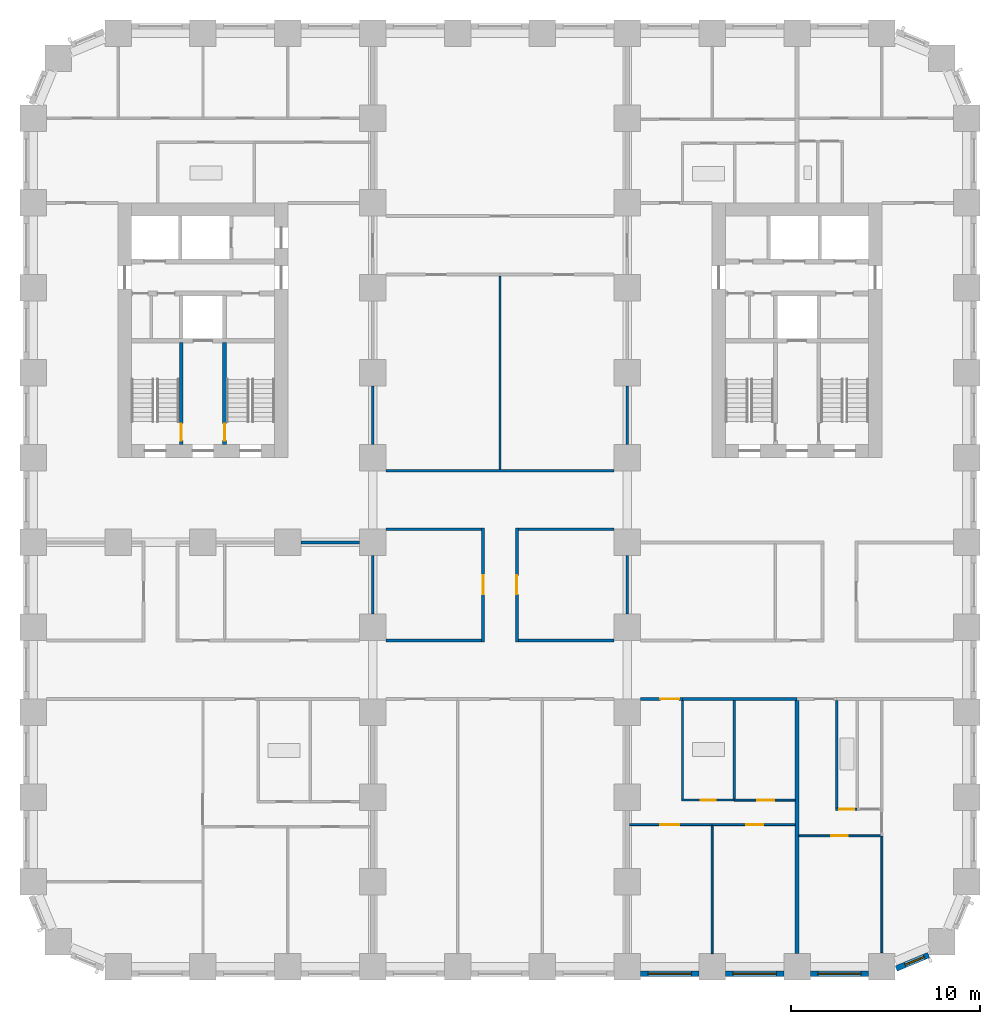
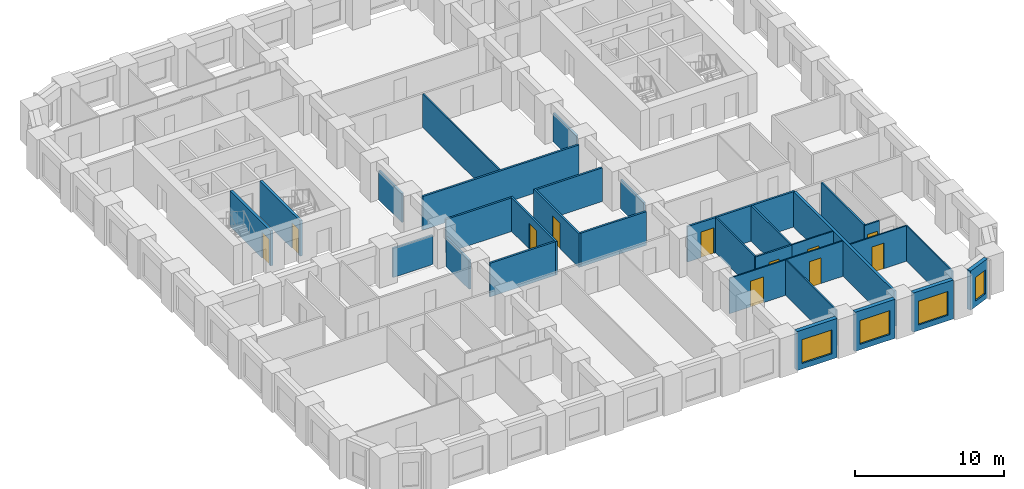
# One storey, part 4 of 12: 33 walls, 11 doors, 4 windows, 15 openings.
"""IFC4 building model written with IfcOpenShell, lengths in metres."""

from ifc_helpers import new_model, si_unit, direction, frame, frame_2d, origin, place, context, subcontext, project, spatial, rectangle, extrude, material, layer, layer_set, type_object, element, fill, save


model = new_model("IFC4")

# Units and contexts
model_context = context("Model", 3, precision=1e-05, world=origin(), true_north=direction((0.0, 1.0)))
body_context = subcontext(model_context, "Body", "Model", "MODEL_VIEW")
ifc_project = project(units=[si_unit("LENGTHUNIT", "METRE"), si_unit("AREAUNIT", "SQUARE_METRE"), si_unit("VOLUMEUNIT", "CUBIC_METRE"), si_unit("PLANEANGLEUNIT", "RADIAN"), si_unit("MASSUNIT", "GRAM", prefix="KILO")], contexts=[model_context])

# Site, building, storey
site_placement = place(None, origin())
site = spatial("IfcSite", under=ifc_project, at=site_placement, CompositionType="ELEMENT")
building_placement = place(site_placement, origin())
building = spatial("IfcBuilding", under=site, at=building_placement, Name="Girih Gate Residences", CompositionType="ELEMENT")
storey_placement = place(building_placement, frame((0.0, 0.0, 33.60009765625)))
storey = spatial("IfcBuildingStorey", under=building, at=storey_placement, Name="L07", CompositionType="ELEMENT", Elevation=33.60009765625)

# Wall
ifc_material_1 = material(Name="Gypsum board on steel studs", Category="steel")
ifc_layer_1 = layer(ifc_material_1, 0.14990234375)
ifc_layer_set_1 = layer_set([ifc_layer_1], Name="Compartment wall 150 mm")
wall_type_1 = type_object("IfcWallType", Name="Compartment wall 150 mm", PredefinedType="PARTITIONING", material=ifc_layer_set_1)
wall_1_placement = place(storey_placement, frame((34.425048828125, 14.199951171875, 0.0), z_axis=(0.0, 0.0, 1.0), x_axis=(1.0, 0.0, 0.0)))
element("IfcWall", 1, at=wall_1_placement, inside=storey, type_object=wall_type_1, Name="L07 partition", PredefinedType="PARTITIONING", context=body_context, shape_type="SweptSolid", body=[
    extrude(rectangle(XDim=6.074951171875, YDim=0.14990234375, at=frame_2d((3.03759765625, 0.0))), origin(), (0.0, 0.0, 1.0), 2.89990234375),
])

# Wall, opening, door
wall_2_placement = place(storey_placement, frame((34.425048828125, 14.199951171875, 0.0), z_axis=(0.0, 0.0, 1.0), x_axis=(-1.0, 0.0, 0.0)))
wall_2 = element("IfcWall", 2, at=wall_2_placement, inside=storey, type_object=wall_type_1, Name="L07 partition", PredefinedType="PARTITIONING", context=body_context, shape_type="SweptSolid", body=[
    extrude(rectangle(XDim=2.22509765625, YDim=0.14990234375, at=frame_2d((1.112548828125, 0.0))), origin(), (0.0, 0.0, 1.0), 2.89990234375),
])
opening_1_placement = place(wall_2_placement, frame((0.175048828125, 0.0, 0.0)))
opening_1 = element("IfcOpeningElement", 3, at=opening_1_placement, cuts=wall_2, Name="Opening A07-024", PredefinedType="OPENING", context=body_context, shape_type="SweptSolid", body=[
    extrude(rectangle(XDim=1.0, YDim=2.10009765625, at=frame_2d((0.5, 1.050048828125))), frame((0.0, 0.0849609375, 0.0), z_axis=(0.0, -1.0, 0.0), x_axis=(1.0, 0.0, 0.0)), (0.0, 0.0, 1.0), 0.169921875),
])
ifc_material_2 = material(Name="Timber, fire-rated core", Category="wood")
door_type_1 = type_object("IfcDoorType", Name="Flat entrance door 1000x2100 FD30S", OperationType="NOTDEFINED", PredefinedType="DOOR", material=ifc_material_2)
door_1_placement = place(opening_1_placement, origin())
door_1 = element("IfcDoor", 4, at=door_1_placement, inside=storey, type_object=door_type_1, Name="Door A07-024", OperationType="SINGLE_SWING_LEFT", OverallHeight=2.10009765625, OverallWidth=1.0, PredefinedType="DOOR", context=body_context, shape_type="SweptSolid", body=[
    extrude(rectangle(XDim=1.0, YDim=2.10009765625, at=frame_2d((0.5, 1.050048828125))), frame((0.0, 0.02490234375, 0.0), z_axis=(0.0, -1.0, 0.0), x_axis=(1.0, 0.0, 0.0)), (0.0, 0.0, 1.0), 0.050048828125),
])
fill(opening_1, door_1)

wall_3_placement = place(storey_placement, frame((23.85009765625, 17.22509765625, 0.0), z_axis=(0.0, 0.0, 1.0), x_axis=(0.0, 1.0, 0.0)))
wall_3 = element("IfcWall", 5, at=wall_3_placement, inside=storey, type_object=wall_type_1, Name="L07 partition", PredefinedType="PARTITIONING", context=body_context, shape_type="SweptSolid", body=[
    extrude(rectangle(XDim=6.0498046875, YDim=0.14990234375, at=frame_2d((3.02490234375, 0.0))), origin(), (0.0, 0.0, 1.0), 2.75),
])
opening_2_placement = place(wall_3_placement, frame((2.52490234375, 0.0, 0.0)))
opening_2 = element("IfcOpeningElement", 6, at=opening_2_placement, cuts=wall_3, Name="Opening A07-043", PredefinedType="OPENING", context=body_context, shape_type="SweptSolid", body=[
    extrude(rectangle(XDim=1.0, YDim=2.10009765625, at=frame_2d((0.5, 1.050048828125))), frame((0.0, 0.0849609375, 0.0), z_axis=(0.0, -1.0, 0.0), x_axis=(1.0, 0.0, 0.0)), (0.0, 0.0, 1.0), 0.169921875),
])
door_type_2 = type_object("IfcDoorType", Name="Amenity room door 1000x2100 FD30S", OperationType="NOTDEFINED", PredefinedType="DOOR", material=ifc_material_2)
door_2_placement = place(opening_2_placement, origin())
door_2 = element("IfcDoor", 7, at=door_2_placement, inside=storey, type_object=door_type_2, Name="Door A07-043", OperationType="SINGLE_SWING_RIGHT", OverallHeight=2.10009765625, OverallWidth=1.0, PredefinedType="DOOR", context=body_context, shape_type="SweptSolid", body=[
    extrude(rectangle(XDim=1.0, YDim=2.10009765625, at=frame_2d((0.5, 1.050048828125))), frame((0.0, 0.02490234375, 0.0), z_axis=(0.0, -1.0, 0.0), x_axis=(1.0, 0.0, 0.0)), (0.0, 0.0, 1.0), 0.050048828125),
])
fill(opening_2, door_2)

wall_4_placement = place(storey_placement, frame((25.64990234375, 23.27490234375, 0.0), z_axis=(0.0, 0.0, 1.0), x_axis=(0.0, -1.0, 0.0)))
wall_4 = element("IfcWall", 8, at=wall_4_placement, inside=storey, type_object=wall_type_1, Name="L07 partition", PredefinedType="PARTITIONING", context=body_context, shape_type="SweptSolid", body=[
    extrude(rectangle(XDim=6.0498046875, YDim=0.14990234375, at=frame_2d((3.02490234375, 0.0))), origin(), (0.0, 0.0, 1.0), 2.75),
])
opening_3_placement = place(wall_4_placement, frame((2.52490234375, 0.0, 0.0)))
opening_3 = element("IfcOpeningElement", 9, at=opening_3_placement, cuts=wall_4, Name="Opening A07-044", PredefinedType="OPENING", context=body_context, shape_type="SweptSolid", body=[
    extrude(rectangle(XDim=1.0, YDim=2.10009765625, at=frame_2d((0.5, 1.050048828125))), frame((0.0, 0.0849609375, 0.0), z_axis=(0.0, -1.0, 0.0), x_axis=(1.0, 0.0, 0.0)), (0.0, 0.0, 1.0), 0.169921875),
])
door_3_placement = place(opening_3_placement, origin())
door_3 = element("IfcDoor", 10, at=door_3_placement, inside=storey, type_object=door_type_2, Name="Door A07-044", OperationType="SINGLE_SWING_RIGHT", OverallHeight=2.10009765625, OverallWidth=1.0, PredefinedType="DOOR", context=body_context, shape_type="SweptSolid", body=[
    extrude(rectangle(XDim=1.0, YDim=2.10009765625, at=frame_2d((0.5, 1.050048828125))), frame((0.0, 0.02490234375, 0.0), z_axis=(0.0, -1.0, 0.0), x_axis=(1.0, 0.0, 0.0)), (0.0, 0.0, 1.0), 0.050048828125),
])
fill(opening_3, door_3)

# Walls
for number, where, z_axis, x_axis, name in (
    (11, (18.699951171875, 17.300048828125, 0.0), (0.0, 0.0, 1.0), (1.0, 0.0, 0.0), "L07 partition"),
    (12, (25.72509765625, 17.300048828125, 0.0), (0.0, 0.0, 1.0), (1.0, 0.0, 0.0), "L07 partition"),
):
    element("IfcWall", number, at=place(storey_placement, frame(where, z_axis=z_axis, x_axis=x_axis)), inside=storey, type_object=wall_type_1, Name=name, PredefinedType="PARTITIONING", context=body_context, shape_type="SweptSolid", body=[
        extrude(rectangle(XDim=5.074951171875, YDim=0.14990234375, at=frame_2d((2.53759765625, 0.0))), origin(), (0.0, 0.0, 1.0), 2.75),
    ])
wall_5_placement = place(storey_placement, frame((18.0, 27.699951171875, 0.0), z_axis=(0.0, 0.0, 1.0), x_axis=(0.0, 1.0, 0.0)))
element("IfcWall", 13, at=wall_5_placement, inside=storey, type_object=wall_type_1, Name="L07 partition", PredefinedType="PARTITIONING", context=body_context, shape_type="SweptSolid", body=[
    extrude(rectangle(XDim=3.10009765625, YDim=0.14990234375, at=frame_2d((1.550048828125, 0.0))), origin(), (0.0, 0.0, 1.0), 2.3798828125),
])
wall_6_placement = place(storey_placement, frame((18.699951171875, 26.300048828125, 0.0), z_axis=(0.0, 0.0, 1.0), x_axis=(1.0, 0.0, 0.0)))
element("IfcWall", 14, at=wall_6_placement, inside=storey, type_object=wall_type_1, Name="L07 partition", PredefinedType="PARTITIONING", context=body_context, shape_type="SweptSolid", body=[
    extrude(rectangle(XDim=12.10009765625, YDim=0.14990234375, at=frame_2d((6.050048828125, 0.0))), origin(), (0.0, 0.0, 1.0), 2.75),
])
wall_7_placement = place(storey_placement, frame((31.5, 27.699951171875, 0.0), z_axis=(0.0, 0.0, 1.0), x_axis=(0.0, 1.0, 0.0)))
element("IfcWall", 15, at=wall_7_placement, inside=storey, type_object=wall_type_1, Name="L07 partition", PredefinedType="PARTITIONING", context=body_context, shape_type="SweptSolid", body=[
    extrude(rectangle(XDim=3.10009765625, YDim=0.14990234375, at=frame_2d((1.550048828125, 0.0))), origin(), (0.0, 0.0, 1.0), 2.3798828125),
])
wall_8_placement = place(storey_placement, frame((18.699951171875, 23.199951171875, 0.0), z_axis=(0.0, 0.0, 1.0), x_axis=(1.0, 0.0, 0.0)))
element("IfcWall", 16, at=wall_8_placement, inside=storey, type_object=wall_type_1, Name="L07 partition", PredefinedType="PARTITIONING", context=body_context, shape_type="SweptSolid", body=[
    extrude(rectangle(XDim=5.074951171875, YDim=0.14990234375, at=frame_2d((2.53759765625, 0.0))), origin(), (0.0, 0.0, 1.0), 2.75),
])
wall_9_placement = place(storey_placement, frame((18.0, 18.699951171875, 0.0), z_axis=(0.0, 0.0, 1.0), x_axis=(0.0, 1.0, 0.0)))
element("IfcWall", 17, at=wall_9_placement, inside=storey, type_object=wall_type_1, Name="L07 partition", PredefinedType="PARTITIONING", context=body_context, shape_type="SweptSolid", body=[
    extrude(rectangle(XDim=3.10009765625, YDim=0.14990234375, at=frame_2d((1.550048828125, 0.0))), origin(), (0.0, 0.0, 1.0), 2.3798828125),
])
wall_10_placement = place(storey_placement, frame((25.72509765625, 23.199951171875, 0.0), z_axis=(0.0, 0.0, 1.0), x_axis=(1.0, 0.0, 0.0)))
element("IfcWall", 18, at=wall_10_placement, inside=storey, type_object=wall_type_1, Name="L07 partition", PredefinedType="PARTITIONING", context=body_context, shape_type="SweptSolid", body=[
    extrude(rectangle(XDim=5.074951171875, YDim=0.14990234375, at=frame_2d((2.53759765625, 0.0))), origin(), (0.0, 0.0, 1.0), 2.75),
])
for number, where, z_axis, x_axis, name in (
    (19, (31.5, 18.699951171875, 0.0), (0.0, 0.0, 1.0), (0.0, 1.0, 0.0), "L07 partition"),
    (20, (14.199951171875, 22.5, 0.0), (0.0, 0.0, 1.0), (1.0, 0.0, 0.0), "L07 partition"),
):
    element("IfcWall", number, at=place(storey_placement, frame(where, z_axis=z_axis, x_axis=x_axis)), inside=storey, type_object=wall_type_1, Name=name, PredefinedType="PARTITIONING", context=body_context, shape_type="SweptSolid", body=[
        extrude(rectangle(XDim=3.10009765625, YDim=0.14990234375, at=frame_2d((1.550048828125, 0.0))), origin(), (0.0, 0.0, 1.0), 2.3798828125),
    ])

# Wall, opening, door
ifc_layer_2 = layer(ifc_material_1, 0.10009765625)
ifc_layer_set_2 = layer_set([ifc_layer_2], Name="Partition 100 mm")
wall_type_2 = type_object("IfcWallType", Name="Partition 100 mm", PredefinedType="PARTITIONING", material=ifc_layer_set_2)
wall_11_placement = place(storey_placement, frame((44.949951171875, 6.93994140625, 0.0), z_axis=(0.0, 0.0, 1.0), x_axis=(-1.0, 0.0, 0.0)))
wall_11 = element("IfcWall", 21, at=wall_11_placement, inside=storey, type_object=wall_type_2, Name="L07 partition", PredefinedType="PARTITIONING", context=body_context, shape_type="SweptSolid", body=[
    extrude(rectangle(XDim=4.349853515625, YDim=0.10009765625, at=frame_2d((2.1748046875, 0.0))), origin(), (0.0, 0.0, 1.0), 2.89990234375),
])
opening_4_placement = place(wall_11_placement, frame((1.75, 0.0, 0.0)))
opening_4 = element("IfcOpeningElement", 22, at=opening_4_placement, cuts=wall_11, Name="Opening A07-016", PredefinedType="OPENING", context=body_context, shape_type="SweptSolid", body=[
    extrude(rectangle(XDim=0.89990234375, YDim=2.10009765625, at=frame_2d((0.449951171875, 1.050048828125))), frame((0.0, 0.06005859375, 0.0), z_axis=(0.0, -1.0, 0.0), x_axis=(1.0, 0.0, 0.0)), (0.0, 0.0, 1.0), 0.1201171875),
])
ifc_material_3 = material(Name="Timber", Category="wood")
door_type_3 = type_object("IfcDoorType", Name="Bedroom door 900x2100", OperationType="NOTDEFINED", PredefinedType="DOOR", material=ifc_material_3)
door_4_placement = place(opening_4_placement, origin())
door_4 = element("IfcDoor", 23, at=door_4_placement, inside=storey, type_object=door_type_3, Name="Door A07-016", OperationType="SINGLE_SWING_RIGHT", OverallHeight=2.10009765625, OverallWidth=0.89990234375, PredefinedType="DOOR", context=body_context, shape_type="SweptSolid", body=[
    extrude(rectangle(XDim=0.89990234375, YDim=2.10009765625, at=frame_2d((0.449951171875, 1.050048828125))), frame((0.0, 0.02490234375, 0.0), z_axis=(0.0, -1.0, 0.0), x_axis=(1.0, 0.0, 0.0)), (0.0, 0.0, 1.0), 0.050048828125),
])
fill(opening_4, door_4)

# Wall
wall_12_placement = place(storey_placement, frame((45.0, 0.757568359375, 0.0), z_axis=(0.0, 0.0, 1.0), x_axis=(0.0, 1.0, 0.0)))
element("IfcWall", 24, at=wall_12_placement, inside=storey, type_object=wall_type_2, Name="L07 partition", PredefinedType="PARTITIONING", context=body_context, shape_type="SweptSolid", body=[
    extrude(rectangle(XDim=6.182373046875, YDim=0.10009765625, at=frame_2d((3.09130859375, 0.0))), origin(), (0.0, 0.0, 1.0), 2.89990234375),
])

# Wall, opening, door
wall_13_placement = place(storey_placement, frame((40.39990234375, 7.5400390625, 0.0), z_axis=(0.0, 0.0, 1.0), x_axis=(-1.0, 0.0, 0.0)))
wall_13 = element("IfcWall", 25, at=wall_13_placement, inside=storey, type_object=wall_type_2, Name="L07 partition", PredefinedType="PARTITIONING", context=body_context, shape_type="SweptSolid", body=[
    extrude(rectangle(XDim=4.39990234375, YDim=0.10009765625, at=frame_2d((2.199951171875, 0.0))), origin(), (0.0, 0.0, 1.0), 2.89990234375),
])
opening_5_placement = place(wall_13_placement, frame((1.699951171875, 0.0, 0.0)))
opening_5 = element("IfcOpeningElement", 26, at=opening_5_placement, cuts=wall_13, Name="Opening A07-021", PredefinedType="OPENING", context=body_context, shape_type="SweptSolid", body=[
    extrude(rectangle(XDim=0.89990234375, YDim=2.10009765625, at=frame_2d((0.449951171875, 1.050048828125))), frame((0.0, 0.06005859375, 0.0), z_axis=(0.0, -1.0, 0.0), x_axis=(1.0, 0.0, 0.0)), (0.0, 0.0, 1.0), 0.1201171875),
])
door_5_placement = place(opening_5_placement, origin())
door_5 = element("IfcDoor", 27, at=door_5_placement, inside=storey, type_object=door_type_3, Name="Door A07-021", OperationType="SINGLE_SWING_LEFT", OverallHeight=2.10009765625, OverallWidth=0.89990234375, PredefinedType="DOOR", context=body_context, shape_type="SweptSolid", body=[
    extrude(rectangle(XDim=0.89990234375, YDim=2.10009765625, at=frame_2d((0.449951171875, 1.050048828125))), frame((0.0, 0.02490234375, 0.0), z_axis=(0.0, -1.0, 0.0), x_axis=(1.0, 0.0, 0.0)), (0.0, 0.0, 1.0), 0.050048828125),
])
fill(opening_5, door_5)

# Wall
wall_14_placement = place(storey_placement, frame((36.0, 0.699951171875, 0.0), z_axis=(0.0, 0.0, 1.0), x_axis=(0.0, 1.0, 0.0)))
element("IfcWall", 28, at=wall_14_placement, inside=storey, type_object=wall_type_2, Name="L07 partition", PredefinedType="PARTITIONING", context=body_context, shape_type="SweptSolid", body=[
    extrude(rectangle(XDim=6.7900390625, YDim=0.10009765625, at=frame_2d((3.39501953125, 0.0))), origin(), (0.0, 0.0, 1.0), 2.89990234375),
])

# Wall, opening, door
wall_15_placement = place(storey_placement, frame((37.17822265625, 8.840087890625, 0.0), z_axis=(0.0, 0.0, 1.0), x_axis=(1.0, 0.0, 0.0)))
wall_15 = element("IfcWall", 29, at=wall_15_placement, inside=storey, type_object=wall_type_2, Name="L07 partition", PredefinedType="PARTITIONING", context=body_context, shape_type="SweptSolid", body=[
    extrude(rectangle(XDim=3.2216796875, YDim=0.10009765625, at=frame_2d((1.61083984375, 0.0))), origin(), (0.0, 0.0, 1.0), 2.89990234375),
])
opening_6_placement = place(wall_15_placement, frame((1.2109375, 0.0, 0.0)))
opening_6 = element("IfcOpeningElement", 30, at=opening_6_placement, cuts=wall_15, Name="Opening A07-022", PredefinedType="OPENING", context=body_context, shape_type="SweptSolid", body=[
    extrude(rectangle(XDim=0.89990234375, YDim=2.10009765625, at=frame_2d((0.449951171875, 1.050048828125))), frame((0.0, 0.06005859375, 0.0), z_axis=(0.0, -1.0, 0.0), x_axis=(1.0, 0.0, 0.0)), (0.0, 0.0, 1.0), 0.1201171875),
])
door_type_4 = type_object("IfcDoorType", Name="Kitchen door 900x2100", OperationType="NOTDEFINED", PredefinedType="DOOR", material=ifc_material_3)
door_6_placement = place(opening_6_placement, origin())
door_6 = element("IfcDoor", 31, at=door_6_placement, inside=storey, type_object=door_type_4, Name="Door A07-022", OperationType="SINGLE_SWING_RIGHT", OverallHeight=2.10009765625, OverallWidth=0.89990234375, PredefinedType="DOOR", context=body_context, shape_type="SweptSolid", body=[
    extrude(rectangle(XDim=0.89990234375, YDim=2.10009765625, at=frame_2d((0.449951171875, 1.050048828125))), frame((0.0, 0.02490234375, 0.0), z_axis=(0.0, -1.0, 0.0), x_axis=(1.0, 0.0, 0.0)), (0.0, 0.0, 1.0), 0.050048828125),
])
fill(opening_6, door_6)

wall_16_placement = place(storey_placement, frame((36.0, 7.5400390625, 0.0), z_axis=(0.0, 0.0, 1.0), x_axis=(-1.0, 0.0, 0.0)))
wall_16 = element("IfcWall", 32, at=wall_16_placement, inside=storey, type_object=wall_type_2, Name="L07 partition", PredefinedType="PARTITIONING", context=body_context, shape_type="SweptSolid", body=[
    extrude(rectangle(XDim=4.375, YDim=0.10009765625, at=frame_2d((2.1875, 0.0))), origin(), (0.0, 0.0, 1.0), 2.89990234375),
])
opening_7_placement = place(wall_16_placement, frame((1.75, 0.0, 0.0)))
opening_7 = element("IfcOpeningElement", 33, at=opening_7_placement, cuts=wall_16, Name="Opening A07-023", PredefinedType="OPENING", context=body_context, shape_type="SweptSolid", body=[
    extrude(rectangle(XDim=1.0, YDim=2.10009765625, at=frame_2d((0.5, 1.050048828125))), frame((0.0, 0.06005859375, 0.0), z_axis=(0.0, -1.0, 0.0), x_axis=(1.0, 0.0, 0.0)), (0.0, 0.0, 1.0), 0.1201171875),
])
door_type_5 = type_object("IfcDoorType", Name="Living room door 1000x2100", OperationType="NOTDEFINED", PredefinedType="DOOR", material=ifc_material_3)
door_7_placement = place(opening_7_placement, origin())
door_7 = element("IfcDoor", 34, at=door_7_placement, inside=storey, type_object=door_type_5, Name="Door A07-023", OperationType="SINGLE_SWING_RIGHT", OverallHeight=2.10009765625, OverallWidth=1.0, PredefinedType="DOOR", context=body_context, shape_type="SweptSolid", body=[
    extrude(rectangle(XDim=1.0, YDim=2.10009765625, at=frame_2d((0.5, 1.050048828125))), frame((0.0, 0.02490234375, 0.0), z_axis=(0.0, -1.0, 0.0), x_axis=(1.0, 0.0, 0.0)), (0.0, 0.0, 1.0), 0.050048828125),
])
fill(opening_7, door_7)

# Walls
wall_17_placement = place(storey_placement, frame((24.75, 26.375, 0.0), z_axis=(0.0, 0.0, 1.0), x_axis=(0.0, 1.0, 0.0)))
element("IfcWall", 35, at=wall_17_placement, inside=storey, type_object=wall_type_2, Name="L07 partition", PredefinedType="PARTITIONING", context=body_context, shape_type="SweptSolid", body=[
    extrude(rectangle(XDim=10.25, YDim=0.10009765625, at=frame_2d((5.125, 0.0))), origin(), (0.0, 0.0, 1.0), 2.75),
])
ifc_layer_3 = layer(ifc_material_1, 0.199951171875)
ifc_layer_set_3 = layer_set([ifc_layer_3], Name="Party wall 200 mm")
wall_type_3 = type_object("IfcWallType", Name="Party wall 200 mm", PredefinedType="PARTITIONING", material=ifc_layer_set_3)
wall_18_placement = place(storey_placement, frame((40.5, 0.699951171875, 0.0), z_axis=(0.0, 0.0, 1.0), x_axis=(0.0, 1.0, 0.0)))
element("IfcWall", 36, at=wall_18_placement, inside=storey, type_object=wall_type_3, Name="L07 partition", PredefinedType="PARTITIONING", context=body_context, shape_type="SweptSolid", body=[
    extrude(rectangle(XDim=13.425048828125, YDim=0.199951171875, at=frame_2d((6.71240234375, 0.0))), origin(), (0.0, 0.0, 1.0), 2.89990234375),
])

# Wall, opening, window
ifc_material_4 = material(Name="Precast concrete C50/60", Category="concrete")
ifc_layer_4 = layer(ifc_material_4, 0.080078125, Name="Outer leaf")
ifc_material_5 = material(Name="Rigid PIR insulation")
ifc_layer_5 = layer(ifc_material_5, 0.14990234375, Name="Insulation")
ifc_material_6 = material(Name="Precast concrete C40/50", Category="concrete")
ifc_layer_6 = layer(ifc_material_6, 0.070068359375, Name="Inner leaf")
ifc_layer_set_4 = layer_set([ifc_layer_4, ifc_layer_5, ifc_layer_6], Name="Precast concrete C50/60 external wall 300")
wall_type_4 = type_object("IfcWallType", Name="Precast concrete C50/60 external wall 300", PredefinedType="SOLIDWALL", material=ifc_layer_set_4)
wall_19_placement = place(storey_placement, frame((35.300048828125, -0.375, 0.0), z_axis=(0.0, 0.0, 1.0), x_axis=(-1.0, 0.0, 0.0)))
wall_19 = element("IfcWall", 37, at=wall_19_placement, inside=storey, type_object=wall_type_4, Name="External wall S0045_0000.6", PredefinedType="SOLIDWALL", context=body_context, shape_type="SweptSolid", body=[
    extrude(rectangle(XDim=3.10009765625, YDim=0.300048828125, at=frame_2d((1.550048828125, 0.0))), origin(), (0.0, 0.0, 1.0), 3.199951171875),
])
opening_8_placement = place(wall_19_placement, frame((0.39990234375, 0.0, 0.449951171875)))
opening_8 = element("IfcOpeningElement", 38, at=opening_8_placement, cuts=wall_19, Name="Opening W-1", PredefinedType="OPENING", context=body_context, shape_type="SweptSolid", body=[
    extrude(rectangle(XDim=2.300048828125, YDim=1.949951171875, at=frame_2d((1.14990234375, 0.97509765625))), frame((0.0, 0.159912109375, 0.0), z_axis=(0.0, -1.0, 0.0), x_axis=(1.0, 0.0, 0.0)), (0.0, 0.0, 1.0), 0.320068359375),
])
ifc_material_7 = material(Name="Double glazing in aluminium frame", Category="aluminium")
window_type_1 = type_object("IfcWindowType", Name="Window W-1 2300x1950", PartitioningType="SINGLE_PANEL", PredefinedType="WINDOW", material=ifc_material_7)
window_1_placement = place(opening_8_placement, origin())
window_1 = element("IfcWindow", 39, at=window_1_placement, inside=storey, type_object=window_type_1, Name="Window W-1 S0045_0000.6", OverallHeight=1.949951171875, OverallWidth=2.300048828125, PartitioningType="SINGLE_PANEL", PredefinedType="WINDOW", context=body_context, shape_type="SweptSolid", body=[
    extrude(rectangle(XDim=2.300048828125, YDim=1.949951171875, at=frame_2d((1.14990234375, 0.97509765625))), frame((0.0, 0.030029296875, 0.0), z_axis=(0.0, -1.0, 0.0), x_axis=(1.0, 0.0, 0.0)), (0.0, 0.0, 1.0), 0.06005859375),
])
fill(opening_8, window_1)

wall_20_placement = place(storey_placement, frame((39.800048828125, -0.375, 0.0), z_axis=(0.0, 0.0, 1.0), x_axis=(-1.0, 0.0, 0.0)))
wall_20 = element("IfcWall", 40, at=wall_20_placement, inside=storey, type_object=wall_type_4, Name="External wall S0045_0000.7", PredefinedType="SOLIDWALL", context=body_context, shape_type="SweptSolid", body=[
    extrude(rectangle(XDim=3.10009765625, YDim=0.300048828125, at=frame_2d((1.550048828125, 0.0))), origin(), (0.0, 0.0, 1.0), 3.199951171875),
])
opening_9_placement = place(wall_20_placement, frame((0.39990234375, 0.0, 0.449951171875)))
opening_9 = element("IfcOpeningElement", 41, at=opening_9_placement, cuts=wall_20, Name="Opening W-1", PredefinedType="OPENING", context=body_context, shape_type="SweptSolid", body=[
    extrude(rectangle(XDim=2.300048828125, YDim=1.949951171875, at=frame_2d((1.14990234375, 0.97509765625))), frame((0.0, 0.159912109375, 0.0), z_axis=(0.0, -1.0, 0.0), x_axis=(1.0, 0.0, 0.0)), (0.0, 0.0, 1.0), 0.320068359375),
])
window_2_placement = place(opening_9_placement, origin())
window_2 = element("IfcWindow", 42, at=window_2_placement, inside=storey, type_object=window_type_1, Name="Window W-1 S0045_0000.7", OverallHeight=1.949951171875, OverallWidth=2.300048828125, PartitioningType="SINGLE_PANEL", PredefinedType="WINDOW", context=body_context, shape_type="SweptSolid", body=[
    extrude(rectangle(XDim=2.300048828125, YDim=1.949951171875, at=frame_2d((1.14990234375, 0.97509765625))), frame((0.0, 0.030029296875, 0.0), z_axis=(0.0, -1.0, 0.0), x_axis=(1.0, 0.0, 0.0)), (0.0, 0.0, 1.0), 0.06005859375),
])
fill(opening_9, window_2)

wall_21_placement = place(storey_placement, frame((44.300048828125, -0.375, 0.0), z_axis=(0.0, 0.0, 1.0), x_axis=(-1.0, 0.0, 0.0)))
wall_21 = element("IfcWall", 43, at=wall_21_placement, inside=storey, type_object=wall_type_4, Name="External wall S0045_0000.8", PredefinedType="SOLIDWALL", context=body_context, shape_type="SweptSolid", body=[
    extrude(rectangle(XDim=3.10009765625, YDim=0.300048828125, at=frame_2d((1.550048828125, 0.0))), origin(), (0.0, 0.0, 1.0), 3.199951171875),
])
opening_10_placement = place(wall_21_placement, frame((0.39990234375, 0.0, 0.449951171875)))
opening_10 = element("IfcOpeningElement", 44, at=opening_10_placement, cuts=wall_21, Name="Opening W-1", PredefinedType="OPENING", context=body_context, shape_type="SweptSolid", body=[
    extrude(rectangle(XDim=2.300048828125, YDim=1.949951171875, at=frame_2d((1.14990234375, 0.97509765625))), frame((0.0, 0.159912109375, 0.0), z_axis=(0.0, -1.0, 0.0), x_axis=(1.0, 0.0, 0.0)), (0.0, 0.0, 1.0), 0.320068359375),
])
window_3_placement = place(opening_10_placement, origin())
window_3 = element("IfcWindow", 45, at=window_3_placement, inside=storey, type_object=window_type_1, Name="Window W-1 S0045_0000.8", OverallHeight=1.949951171875, OverallWidth=2.300048828125, PartitioningType="SINGLE_PANEL", PredefinedType="WINDOW", context=body_context, shape_type="SweptSolid", body=[
    extrude(rectangle(XDim=2.300048828125, YDim=1.949951171875, at=frame_2d((1.14990234375, 0.97509765625))), frame((0.0, 0.030029296875, 0.0), z_axis=(0.0, -1.0, 0.0), x_axis=(1.0, 0.0, 0.0)), (0.0, 0.0, 1.0), 0.06005859375),
])
fill(opening_10, window_3)

wall_22_placement = place(storey_placement, frame((47.48046875, 0.62158203125, 0.0), z_axis=(0.0, 0.0, 1.0), x_axis=(-0.923903565336, -0.38262540684, 0.0)))
wall_22 = element("IfcWall", 46, at=wall_22_placement, inside=storey, type_object=wall_type_4, Name="External wall SE0450_0000.0", PredefinedType="SOLIDWALL", context=body_context, shape_type="SweptSolid", body=[
    extrude(rectangle(XDim=1.864990234375, YDim=0.300048828125, at=frame_2d((0.9326171875, 0.0))), origin(), (0.0, 0.0, 1.0), 3.199951171875),
])
opening_11_placement = place(wall_22_placement, frame((0.257568359375, 0.0, 0.449951171875)))
opening_11 = element("IfcOpeningElement", 47, at=opening_11_placement, cuts=wall_22, Name="Opening W-2C", PredefinedType="OPENING", context=body_context, shape_type="SweptSolid", body=[
    extrude(rectangle(XDim=1.10009765625, YDim=1.949951171875, at=frame_2d((0.550048828125, 0.97509765625))), frame((0.0, 0.159912109375, 0.0), z_axis=(0.0, -1.0, 0.0), x_axis=(1.0, 0.0, 0.0)), (0.0, 0.0, 1.0), 0.320068359375),
])
window_type_2 = type_object("IfcWindowType", Name="Window W-2C 1100x1950", PartitioningType="SINGLE_PANEL", PredefinedType="WINDOW", material=ifc_material_7)
window_4_placement = place(opening_11_placement, origin())
window_4 = element("IfcWindow", 48, at=window_4_placement, inside=storey, type_object=window_type_2, Name="Window W-2C SE0450_0000.0", OverallHeight=1.949951171875, OverallWidth=1.10009765625, PartitioningType="SINGLE_PANEL", PredefinedType="WINDOW", context=body_context, shape_type="SweptSolid", body=[
    extrude(rectangle(XDim=1.10009765625, YDim=1.949951171875, at=frame_2d((0.550048828125, 0.97509765625))), frame((0.0, 0.030029296875, 0.0), z_axis=(0.0, -1.0, 0.0), x_axis=(1.0, 0.0, 0.0)), (0.0, 0.0, 1.0), 0.06005859375),
])
fill(opening_11, window_4)

# Wall, opening, door
ifc_material_8 = material(Name="Concrete C40/50", Category="concrete")
ifc_layer_7 = layer(ifc_material_8, 0.199951171875)
ifc_layer_set_5 = layer_set([ifc_layer_7], Name="Shaft wall 200")
wall_type_5 = type_object("IfcWallType", Name="Shaft wall 200", PredefinedType="SOLIDWALL", material=ifc_layer_set_5)
wall_23_placement = place(storey_placement, frame((7.85009765625, 27.699951171875, 0.0), z_axis=(0.0, 0.0, 1.0), x_axis=(0.0, 1.0, 0.0)))
wall_23 = element("IfcWall", 49, at=wall_23_placement, inside=storey, type_object=wall_type_5, Name="L07 W core wall V1a", PredefinedType="SOLIDWALL", context=body_context, shape_type="SweptSolid", body=[
    extrude(rectangle(XDim=5.400146484375, YDim=0.199951171875, at=frame_2d((2.7001953125, 0.0))), origin(), (0.0, 0.0, 1.0), 2.89990234375),
])
opening_12_placement = place(wall_23_placement, frame((0.199951171875, 0.0, 0.0)))
opening_12 = element("IfcOpeningElement", 50, at=opening_12_placement, cuts=wall_23, Name="Opening D-L07-W-001", PredefinedType="OPENING", context=body_context, shape_type="SweptSolid", body=[
    extrude(rectangle(XDim=0.89990234375, YDim=2.10009765625, at=frame_2d((0.449951171875, 1.050048828125))), frame((0.0, 0.10986328125, 0.0), z_axis=(0.0, -1.0, 0.0), x_axis=(1.0, 0.0, 0.0)), (0.0, 0.0, 1.0), 0.219970703125),
])
ifc_material_9 = material(Name="Painted steel, fire-resisting", Category="steel")
door_type_6 = type_object("IfcDoorType", Name="Fire door 900x2100", OperationType="SINGLE_SWING_LEFT", PredefinedType="DOOR", material=ifc_material_9)
door_8_placement = place(opening_12_placement, origin())
door_8 = element("IfcDoor", 51, at=door_8_placement, inside=storey, type_object=door_type_6, Name="L07 W door stair 1 to firefighting lobby", OperationType="SINGLE_SWING_LEFT", OverallHeight=2.10009765625, OverallWidth=0.89990234375, PredefinedType="DOOR", context=body_context, shape_type="SweptSolid", body=[
    extrude(rectangle(XDim=0.89990234375, YDim=2.10009765625, at=frame_2d((0.449951171875, 1.050048828125))), frame((0.0, 0.02490234375, 0.0), z_axis=(0.0, -1.0, 0.0), x_axis=(1.0, 0.0, 0.0)), (0.0, 0.0, 1.0), 0.050048828125),
])
fill(opening_12, door_8)

wall_24_placement = place(storey_placement, frame((10.14990234375, 27.699951171875, 0.0), z_axis=(0.0, 0.0, 1.0), x_axis=(0.0, 1.0, 0.0)))
wall_24 = element("IfcWall", 52, at=wall_24_placement, inside=storey, type_object=wall_type_5, Name="L07 W core wall V2a", PredefinedType="SOLIDWALL", context=body_context, shape_type="SweptSolid", body=[
    extrude(rectangle(XDim=5.400146484375, YDim=0.199951171875, at=frame_2d((2.7001953125, 0.0))), origin(), (0.0, 0.0, 1.0), 2.89990234375),
])
opening_13_placement = place(wall_24_placement, frame((0.199951171875, 0.0, 0.0)))
opening_13 = element("IfcOpeningElement", 53, at=opening_13_placement, cuts=wall_24, Name="Opening D-L07-W-002", PredefinedType="OPENING", context=body_context, shape_type="SweptSolid", body=[
    extrude(rectangle(XDim=0.89990234375, YDim=2.10009765625, at=frame_2d((0.449951171875, 1.050048828125))), frame((0.0, 0.10986328125, 0.0), z_axis=(0.0, -1.0, 0.0), x_axis=(1.0, 0.0, 0.0)), (0.0, 0.0, 1.0), 0.219970703125),
])
door_9_placement = place(opening_13_placement, origin())
door_9 = element("IfcDoor", 54, at=door_9_placement, inside=storey, type_object=door_type_6, Name="L07 W door stair 2 to firefighting lobby", OperationType="SINGLE_SWING_LEFT", OverallHeight=2.10009765625, OverallWidth=0.89990234375, PredefinedType="DOOR", context=body_context, shape_type="SweptSolid", body=[
    extrude(rectangle(XDim=0.89990234375, YDim=2.10009765625, at=frame_2d((0.449951171875, 1.050048828125))), frame((0.0, 0.02490234375, 0.0), z_axis=(0.0, -1.0, 0.0), x_axis=(1.0, 0.0, 0.0)), (0.0, 0.0, 1.0), 0.050048828125),
])
fill(opening_13, door_9)

ifc_layer_8 = layer(ifc_material_1, 0.125)
ifc_layer_set_6 = layer_set([ifc_layer_8], Name="Wet room wall 125 mm")
wall_type_6 = type_object("IfcWallType", Name="Wet room wall 125 mm", PredefinedType="PARTITIONING", material=ifc_layer_set_6)
wall_25_placement = place(storey_placement, frame((42.53759765625, 8.360107421875, 0.0), z_axis=(0.0, 0.0, 1.0), x_axis=(1.0, 0.0, 0.0)))
wall_25 = element("IfcWall", 55, at=wall_25_placement, inside=storey, type_object=wall_type_6, Name="L07 partition", PredefinedType="PARTITIONING", context=body_context, shape_type="SweptSolid", body=[
    extrude(rectangle(XDim=1.1533203125, YDim=0.125, at=frame_2d((0.57666015625, 0.0))), origin(), (0.0, 0.0, 1.0), 2.89990234375),
])
opening_14_placement = place(wall_25_placement, frame((0.2080078125, 0.0, 0.0)))
opening_14 = element("IfcOpeningElement", 56, at=opening_14_placement, cuts=wall_25, Name="Opening A07-015", PredefinedType="OPENING", context=body_context, shape_type="SweptSolid", body=[
    extrude(rectangle(XDim=0.800048828125, YDim=2.10009765625, at=frame_2d((0.39990234375, 1.050048828125))), frame((0.0, 0.072509765625, 0.0), z_axis=(0.0, -1.0, 0.0), x_axis=(1.0, 0.0, 0.0)), (0.0, 0.0, 1.0), 0.14501953125),
])
door_type_7 = type_object("IfcDoorType", Name="Bathroom door 800x2100", OperationType="NOTDEFINED", PredefinedType="DOOR", material=ifc_material_3)
door_10_placement = place(opening_14_placement, origin())
door_10 = element("IfcDoor", 57, at=door_10_placement, inside=storey, type_object=door_type_7, Name="Door A07-015", OperationType="SINGLE_SWING_RIGHT", OverallHeight=2.10009765625, OverallWidth=0.800048828125, PredefinedType="DOOR", context=body_context, shape_type="SweptSolid", body=[
    extrude(rectangle(XDim=0.800048828125, YDim=2.10009765625, at=frame_2d((0.39990234375, 1.050048828125))), frame((0.0, 0.02490234375, 0.0), z_axis=(0.0, -1.0, 0.0), x_axis=(1.0, 0.0, 0.0)), (0.0, 0.0, 1.0), 0.050048828125),
])
fill(opening_14, door_10)

# Wall
wall_26_placement = place(storey_placement, frame((42.60009765625, 8.422607421875, 0.0), z_axis=(0.0, 0.0, 1.0), x_axis=(0.0, 1.0, 0.0)))
element("IfcWall", 58, at=wall_26_placement, inside=storey, type_object=wall_type_6, Name="L07 partition", PredefinedType="PARTITIONING", context=body_context, shape_type="SweptSolid", body=[
    extrude(rectangle(XDim=5.702392578125, YDim=0.125, at=frame_2d((2.85107421875, 0.0))), origin(), (0.0, 0.0, 1.0), 2.89990234375),
])

# Wall, opening, door
wall_27_placement = place(storey_placement, frame((34.362548828125, 8.840087890625, 0.0), z_axis=(0.0, 0.0, 1.0), x_axis=(1.0, 0.0, 0.0)))
wall_27 = element("IfcWall", 59, at=wall_27_placement, inside=storey, type_object=wall_type_6, Name="L07 partition", PredefinedType="PARTITIONING", context=body_context, shape_type="SweptSolid", body=[
    extrude(rectangle(XDim=2.815673828125, YDim=0.125, at=frame_2d((1.40771484375, 0.0))), origin(), (0.0, 0.0, 1.0), 2.89990234375),
])
opening_15_placement = place(wall_27_placement, frame((1.0390625, 0.0, 0.0)))
opening_15 = element("IfcOpeningElement", 60, at=opening_15_placement, cuts=wall_27, Name="Opening A07-020", PredefinedType="OPENING", context=body_context, shape_type="SweptSolid", body=[
    extrude(rectangle(XDim=0.800048828125, YDim=2.10009765625, at=frame_2d((0.39990234375, 1.050048828125))), frame((0.0, 0.072509765625, 0.0), z_axis=(0.0, -1.0, 0.0), x_axis=(1.0, 0.0, 0.0)), (0.0, 0.0, 1.0), 0.14501953125),
])
door_11_placement = place(opening_15_placement, origin())
door_11 = element("IfcDoor", 61, at=door_11_placement, inside=storey, type_object=door_type_7, Name="Door A07-020", OperationType="SINGLE_SWING_RIGHT", OverallHeight=2.10009765625, OverallWidth=0.800048828125, PredefinedType="DOOR", context=body_context, shape_type="SweptSolid", body=[
    extrude(rectangle(XDim=0.800048828125, YDim=2.10009765625, at=frame_2d((0.39990234375, 1.050048828125))), frame((0.0, 0.02490234375, 0.0), z_axis=(0.0, -1.0, 0.0), x_axis=(1.0, 0.0, 0.0)), (0.0, 0.0, 1.0), 0.050048828125),
])
fill(opening_15, door_11)

# Walls
for number, where, z_axis, x_axis, name in (
    (62, (34.425048828125, 8.902587890625, 0.0), (0.0, 0.0, 1.0), (0.0, 1.0, 0.0), "L07 partition"),
    (63, (37.177978515625, 8.902587890625, 0.0), (0.0, 0.0, 1.0), (0.0, 1.0, 0.0), "L07 partition"),
):
    element("IfcWall", number, at=place(storey_placement, frame(where, z_axis=z_axis, x_axis=x_axis)), inside=storey, type_object=wall_type_6, Name=name, PredefinedType="PARTITIONING", context=body_context, shape_type="SweptSolid", body=[
        extrude(rectangle(XDim=5.222412109375, YDim=0.125, at=frame_2d((2.611328125, 0.0))), origin(), (0.0, 0.0, 1.0), 2.89990234375),
    ])

save(model, "model.ifc")
